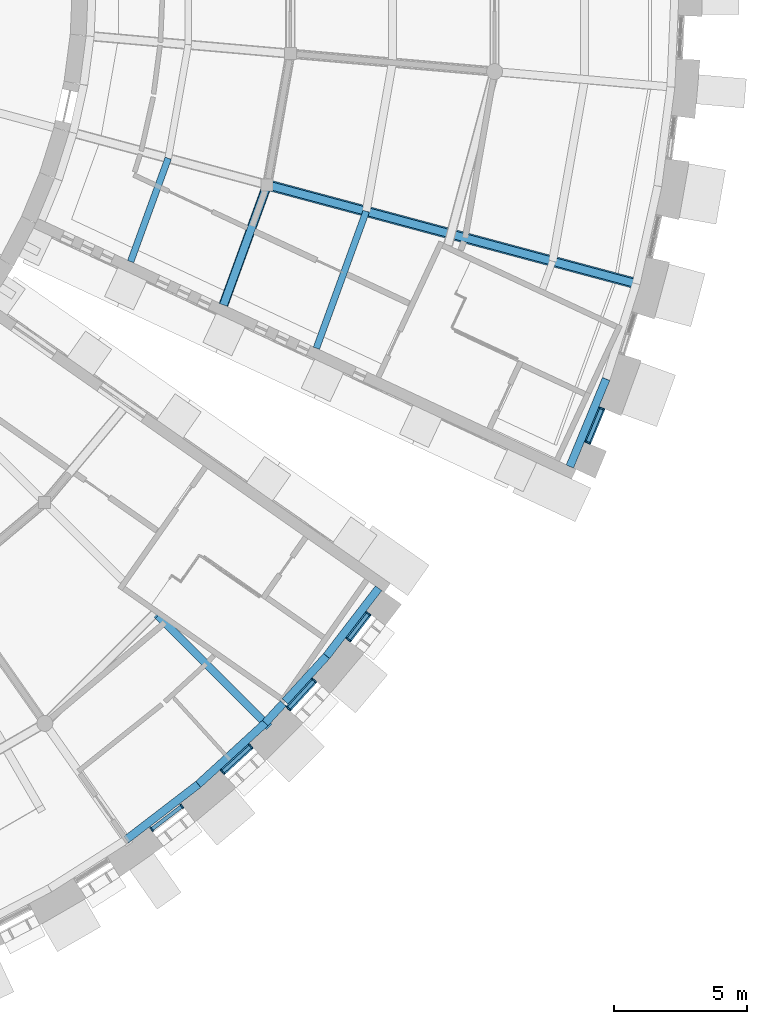
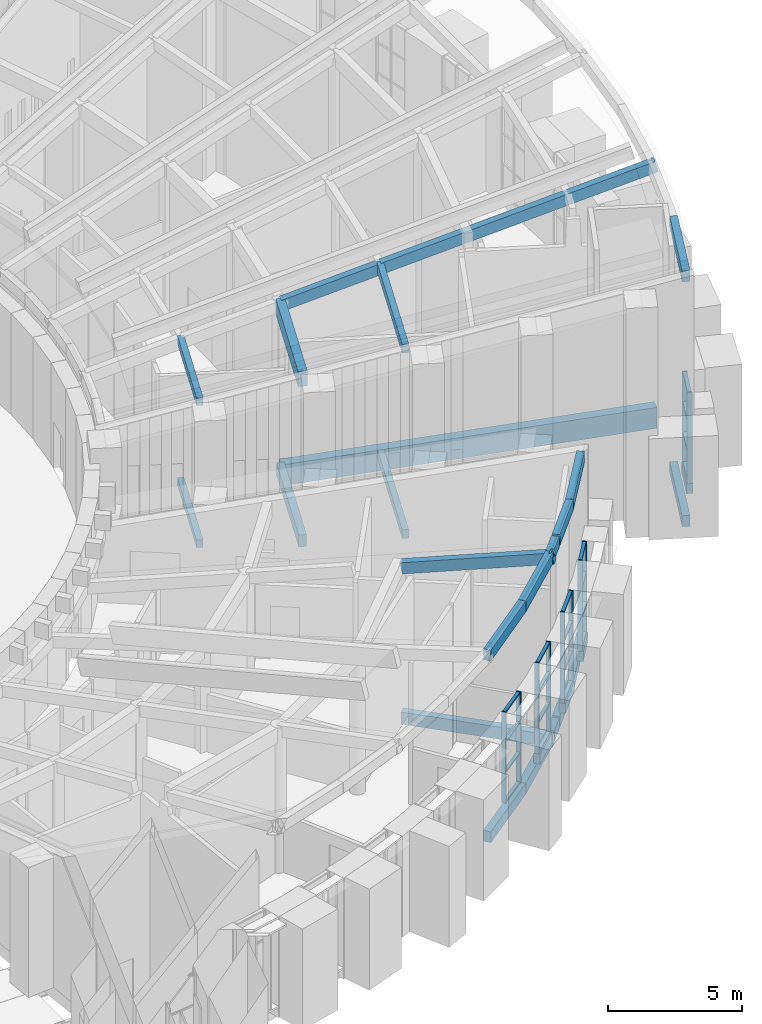
# One storey, part 6 of 50: 30 members, 26 beams, 5 elements without a shape of their own.
"""IFC4 building model written with IfcOpenShell, lengths in metres."""

from ifc_helpers import new_model, si_unit, direction, frame, origin, origin_2d, place, context, subcontext, project, spatial, rectangle, extrude, material, layer, layer_set, material_profile, profile_set, type_object, element, aggregate, save


model = new_model("IFC4")

# Units and contexts
model_context = context("Model", 3, precision=1e-05, world=origin(), true_north=direction((0.0, 1.0)))
body_context = subcontext(model_context, "Body", "Model", "MODEL_VIEW")
ifc_project = project(units=[si_unit("LENGTHUNIT", "METRE"), si_unit("AREAUNIT", "SQUARE_METRE"), si_unit("VOLUMEUNIT", "CUBIC_METRE"), si_unit("PLANEANGLEUNIT", "RADIAN"), si_unit("MASSUNIT", "GRAM", prefix="KILO")], contexts=[model_context])

# Site, building, storey
site_placement = place(None, origin())
site = spatial("IfcSite", under=ifc_project, at=site_placement, CompositionType="ELEMENT")
building_placement = place(site_placement, origin())
building = spatial("IfcBuilding", under=site, at=building_placement, Name="Volute Hill Aquarium", CompositionType="ELEMENT")
storey_placement = place(building_placement, frame((0.0, 0.0, 9.199951171875)))
storey = spatial("IfcBuildingStorey", under=building, at=storey_placement, Name="L03", CompositionType="ELEMENT", Elevation=9.199951171875)

# Beams
ifc_material_1 = material(Name="Concrete C35/45", Category="concrete")
ifc_material_profile_1 = material_profile(ifc_material_1, rectangle(XDim=0.300048828125, YDim=0.550048828125, at=origin_2d()), Name="RC beam 300x550")
ifc_profile_set_1 = profile_set([ifc_material_profile_1], Name="Concrete C35/45")
beam_type_1 = type_object("IfcBeamType", Name="Beam 300x550 C35/45", PredefinedType="BEAM", material=ifc_profile_set_1)
beam_1_placement = place(storey_placement, frame((23.617919921875, -23.617919921875, -0.544921875), z_axis=(0.707106781187, -0.707106781187, 0.0), x_axis=(0.707106781187, 0.707106781187, 0.0)))
element("IfcBeam", 1, at=beam_1_placement, inside=storey, type_object=beam_type_1, Name="bm/S3/L03/rad4.12", PredefinedType="BEAM", context=body_context, shape_type="SweptSolid", body=[
    extrude(rectangle(XDim=0.300048828125, YDim=0.550048828125, at=origin_2d()), origin(), (0.0, 0.0, 1.0), 5.84912109375),
])
beam_2_placement = place(storey_placement, frame((26.07958984375, -11.9404296875, -0.514892578125), z_axis=(0.342053281392, 0.939680558854, 0.0), x_axis=(-0.939680558854, 0.342053281392, 0.0)))
element("IfcBeam", 2, at=beam_2_placement, inside=storey, type_object=beam_type_1, Name="bm/S4/L03/ring1.11", PredefinedType="BEAM", context=body_context, shape_type="SweptSolid", body=[
    extrude(rectangle(XDim=0.300048828125, YDim=0.550048828125, at=origin_2d()), origin(), (0.0, 0.0, 1.0), 4.802001953125),
])
ifc_material_2 = material(Name="Concrete C35/45", Category="concrete")
ifc_material_profile_2 = material_profile(ifc_material_2, rectangle(XDim=0.35009765625, YDim=0.699951171875, at=origin_2d()), Name="RC beam 350x700")
ifc_profile_set_2 = profile_set([ifc_material_profile_2], Name="Concrete C35/45")
beam_type_2 = type_object("IfcBeamType", Name="Beam 350x700 C35/45", PredefinedType="BEAM", material=ifc_profile_set_2)
beam_3_placement = place(storey_placement, frame((26.07958984375, -11.9404296875, 6.871337890625), z_axis=(0.342053281392, 0.939680558854, 0.0), x_axis=(-0.939680558854, 0.342053281392, 0.0)))
element("IfcBeam", 3, at=beam_3_placement, inside=storey, type_object=beam_type_2, Name="rb/S4/L03/ring1.11", PredefinedType="BEAM", context=body_context, shape_type="SweptSolid", body=[
    extrude(rectangle(XDim=0.35009765625, YDim=0.699951171875, at=origin_2d()), origin(), (0.0, 0.0, 1.0), 4.802001953125),
])
ifc_material_3 = material(Name="Concrete C35/45", Category="concrete")
ifc_material_profile_3 = material_profile(ifc_material_3, rectangle(XDim=0.39990234375, YDim=0.949951171875, at=origin_2d()), Name="RC beam 400x950")
ifc_profile_set_3 = profile_set([ifc_material_profile_3], Name="Concrete C35/45")
beam_type_3 = type_object("IfcBeamType", Name="Beam 400x950 C35/45", PredefinedType="BEAM", material=ifc_profile_set_3)
beam_4_placement = place(storey_placement, frame((27.72216796875, -7.427978515625, -0.71484375), z_axis=(0.965924602504, -0.258823612287, 0.0), x_axis=(0.258823612287, 0.965924602504, 0.0)))
element("IfcBeam", 4, at=beam_4_placement, inside=storey, type_object=beam_type_3, Name="bm/S4/L03/rad1.2", PredefinedType="BEAM", context=body_context, shape_type="SweptSolid", body=[
    extrude(rectangle(XDim=0.39990234375, YDim=0.949951171875, at=origin_2d()), origin(), (0.0, 0.0, 1.0), 14.5),
])

# Curtain wall, members
ifc_material_4 = material(Name="Aluminium", Category="aluminium")
ifc_layer_1 = layer(ifc_material_4, 0.25)
ifc_layer_set_1 = layer_set([ifc_layer_1], Name="Curtain wall niche S3 module 1489")
curtain_wall_type_1 = type_object("IfcCurtainWallType", Name="Curtain wall niche S3 module 1489", PredefinedType="NOTDEFINED", material=ifc_layer_set_1)
curtain_wall_1_placement = place(storey_placement, origin())
curtain_wall_1 = element("IfcCurtainWall", 5, at=curtain_wall_1_placement, inside=storey, type_object=curtain_wall_type_1, Name="Curtain wall CW S3 L03 7", PredefinedType="NOTDEFINED")
ifc_material_5 = material(Name="Aluminium", Category="aluminium")
ifc_material_profile_4 = material_profile(ifc_material_5, rectangle(XDim=0.179931640625, YDim=0.06005859375, at=origin_2d()), Name="Curtain wall mullion S3 60x180")
ifc_profile_set_4 = profile_set([ifc_material_profile_4], Name="Aluminium")
member_type_1 = type_object("IfcMemberType", Name="Curtain wall mullion S3 60x180", PredefinedType="MULLION", material=ifc_profile_set_4)
member_1_placement = place(storey_placement, frame((23.380126953125, -31.643310546875, 0.449951171875), z_axis=(0.0, 0.0, 1.0), x_axis=(-0.608746843851, 0.793364531663, 0.0)))
member_1 = element("IfcMember", 6, at=member_1_placement, type_object=member_type_1, Name="CW mullion 1", PredefinedType="MULLION", context=body_context, shape_type="SweptSolid", body=[
    extrude(rectangle(XDim=0.179931640625, YDim=0.06005859375, at=origin_2d()), origin(), (0.0, 0.0, 1.0), 4.150146484375),
])
member_2_placement = place(storey_placement, frame((24.513916015625, -30.773193359375, 0.449951171875), z_axis=(0.0, 0.0, 1.0), x_axis=(-0.608746843851, 0.793364531663, 0.0)))
member_2 = element("IfcMember", 7, at=member_2_placement, type_object=member_type_1, Name="CW mullion 2", PredefinedType="MULLION", context=body_context, shape_type="SweptSolid", body=[
    extrude(rectangle(XDim=0.179931640625, YDim=0.06005859375, at=origin_2d()), origin(), (0.0, 0.0, 1.0), 4.150146484375),
])

curtain_wall_2_placement = place(storey_placement, origin())
curtain_wall_2 = element("IfcCurtainWall", 8, at=curtain_wall_2_placement, inside=storey, type_object=curtain_wall_type_1, Name="Curtain wall CW S3 L03 8", PredefinedType="NOTDEFINED")
member_3_placement = place(storey_placement, frame((26.048828125, -29.4853515625, 0.449951171875), z_axis=(0.0, 0.0, 1.0), x_axis=(-0.675613025622, 0.73725642731, 0.0)))
member_3 = element("IfcMember", 9, at=member_3_placement, type_object=member_type_1, Name="CW mullion 1", PredefinedType="MULLION", context=body_context, shape_type="SweptSolid", body=[
    extrude(rectangle(XDim=0.179931640625, YDim=0.06005859375, at=origin_2d()), origin(), (0.0, 0.0, 1.0), 4.150146484375),
])
member_4_placement = place(storey_placement, frame((27.1025390625, -28.519775390625, 0.449951171875), z_axis=(0.0, 0.0, 1.0), x_axis=(-0.675613025622, 0.73725642731, 0.0)))
member_4 = element("IfcMember", 10, at=member_4_placement, type_object=member_type_1, Name="CW mullion 2", PredefinedType="MULLION", context=body_context, shape_type="SweptSolid", body=[
    extrude(rectangle(XDim=0.179931640625, YDim=0.06005859375, at=origin_2d()), origin(), (0.0, 0.0, 1.0), 4.150146484375),
])

curtain_wall_3_placement = place(storey_placement, origin())
curtain_wall_3 = element("IfcCurtainWall", 11, at=curtain_wall_3_placement, inside=storey, type_object=curtain_wall_type_1, Name="Curtain wall CW S3 L03 9", PredefinedType="NOTDEFINED")
member_5_placement = place(storey_placement, frame((28.51953125, -27.102783203125, 0.449951171875), z_axis=(0.0, 0.0, 1.0), x_axis=(-0.737259772044, 0.675609375694, 0.0)))
member_5 = element("IfcMember", 12, at=member_5_placement, type_object=member_type_1, Name="CW mullion 1", PredefinedType="MULLION", context=body_context, shape_type="SweptSolid", body=[
    extrude(rectangle(XDim=0.179931640625, YDim=0.06005859375, at=origin_2d()), origin(), (0.0, 0.0, 1.0), 4.150146484375),
])
member_6_placement = place(storey_placement, frame((29.485107421875, -26.049072265625, 0.449951171875), z_axis=(0.0, 0.0, 1.0), x_axis=(-0.737259772044, 0.675609375694, 0.0)))
member_6 = element("IfcMember", 13, at=member_6_placement, type_object=member_type_1, Name="CW mullion 2", PredefinedType="MULLION", context=body_context, shape_type="SweptSolid", body=[
    extrude(rectangle(XDim=0.179931640625, YDim=0.06005859375, at=origin_2d()), origin(), (0.0, 0.0, 1.0), 4.150146484375),
])

ifc_material_6 = material(Name="Aluminium", Category="aluminium")
ifc_layer_2 = layer(ifc_material_6, 0.25)
ifc_layer_set_2 = layer_set([ifc_layer_2], Name="Curtain wall niche S3 module 1289")
curtain_wall_type_2 = type_object("IfcCurtainWallType", Name="Curtain wall niche S3 module 1289", PredefinedType="NOTDEFINED", material=ifc_layer_set_2)
curtain_wall_4_placement = place(storey_placement, origin())
curtain_wall_4 = element("IfcCurtainWall", 14, at=curtain_wall_4_placement, inside=storey, type_object=curtain_wall_type_2, Name="Curtain wall CW S3 L03 10", PredefinedType="NOTDEFINED")
member_7_placement = place(storey_placement, frame((30.773193359375, -24.513916015625, 0.449951171875), z_axis=(0.0, 0.0, 1.0), x_axis=(-0.79336569779, 0.608745324064, 0.0)))
member_7 = element("IfcMember", 15, at=member_7_placement, type_object=member_type_1, Name="CW mullion 1", PredefinedType="MULLION", context=body_context, shape_type="SweptSolid", body=[
    extrude(rectangle(XDim=0.179931640625, YDim=0.06005859375, at=origin_2d()), origin(), (0.0, 0.0, 1.0), 4.150146484375),
])
member_8_placement = place(storey_placement, frame((31.521484375, -23.538818359375, 0.449951171875), z_axis=(0.0, 0.0, 1.0), x_axis=(-0.79336569779, 0.608745324064, 0.0)))
member_8 = element("IfcMember", 16, at=member_8_placement, type_object=member_type_1, Name="CW mullion 2", PredefinedType="MULLION", context=body_context, shape_type="SweptSolid", body=[
    extrude(rectangle(XDim=0.179931640625, YDim=0.06005859375, at=origin_2d()), origin(), (0.0, 0.0, 1.0), 4.150146484375),
])

ifc_material_7 = material(Name="Aluminium", Category="aluminium")
ifc_layer_3 = layer(ifc_material_7, 0.25)
ifc_layer_set_3 = layer_set([ifc_layer_3], Name="Curtain wall niche S4 module 1437")
curtain_wall_type_3 = type_object("IfcCurtainWallType", Name="Curtain wall niche S4 module 1437", PredefinedType="NOTDEFINED", material=ifc_layer_set_3)
curtain_wall_5_placement = place(storey_placement, origin())
curtain_wall_5 = element("IfcCurtainWall", 17, at=curtain_wall_5_placement, inside=storey, type_object=curtain_wall_type_3, Name="Curtain wall CW S4 L03 1", PredefinedType="NOTDEFINED")
ifc_material_8 = material(Name="Aluminium", Category="aluminium")
ifc_material_profile_5 = material_profile(ifc_material_8, rectangle(XDim=0.199951171875, YDim=0.06005859375, at=origin_2d()), Name="Curtain wall mullion S4 60x200")
ifc_profile_set_5 = profile_set([ifc_material_profile_5], Name="Aluminium")
member_type_2 = type_object("IfcMemberType", Name="Curtain wall mullion S4 60x200", PredefinedType="MULLION", material=ifc_profile_set_5)
member_9_placement = place(storey_placement, frame((39.763427734375, -17.107666015625, 0.449951171875), z_axis=(0.0, 0.0, 1.0), x_axis=(-0.923873852375, 0.38269714514, 0.0)))
member_9 = element("IfcMember", 18, at=member_9_placement, type_object=member_type_2, Name="CW mullion 1", PredefinedType="MULLION", context=body_context, shape_type="SweptSolid", body=[
    extrude(rectangle(XDim=0.199951171875, YDim=0.06005859375, at=origin_2d()), origin(), (0.0, 0.0, 1.0), 4.150146484375),
])
member_10_placement = place(storey_placement, frame((40.29052734375, -15.835205078125, 0.449951171875), z_axis=(0.0, 0.0, 1.0), x_axis=(-0.923873852375, 0.38269714514, 0.0)))
member_10 = element("IfcMember", 19, at=member_10_placement, type_object=member_type_2, Name="CW mullion 2", PredefinedType="MULLION", context=body_context, shape_type="SweptSolid", body=[
    extrude(rectangle(XDim=0.199951171875, YDim=0.06005859375, at=origin_2d()), origin(), (0.0, 0.0, 1.0), 4.150146484375),
])

# Member
ifc_material_9 = material(Name="Aluminium", Category="aluminium")
ifc_material_profile_6 = material_profile(ifc_material_9, rectangle(XDim=0.139892578125, YDim=0.06005859375, at=origin_2d()), Name="Curtain wall transom S3 60x140")
ifc_profile_set_6 = profile_set([ifc_material_profile_6], Name="Aluminium")
member_type_3 = type_object("IfcMemberType", Name="Curtain wall transom S3 60x140", PredefinedType="USERDEFINED", material=ifc_profile_set_6)
member_11_placement = place(storey_placement, frame((23.40380859375, -31.625, 0.47998046875), z_axis=(0.793405441688, 0.608693523129, 0.0), x_axis=(-0.608693523129, 0.793405441688, 0.0)))
member_11 = element("IfcMember", 20, at=member_11_placement, type_object=member_type_3, Name="CW transom 1.1", ObjectType="TRANSOM", PredefinedType="USERDEFINED", context=body_context, shape_type="SweptSolid", body=[
    extrude(rectangle(XDim=0.139892578125, YDim=0.06005859375, at=origin_2d()), origin(), (0.0, 0.0, 1.0), 1.369384765625),
])

member_12_placement = place(storey_placement, frame((23.40380859375, -31.625, 1.83349609375), z_axis=(0.793405441688, 0.608693523129, 0.0), x_axis=(-0.608693523129, 0.793405441688, 0.0)))
member_12 = element("IfcMember", 21, at=member_12_placement, type_object=member_type_3, Name="CW transom 1.2", ObjectType="TRANSOM", PredefinedType="USERDEFINED", context=body_context, shape_type="SweptSolid", body=[
    extrude(rectangle(XDim=0.139892578125, YDim=0.06005859375, at=origin_2d()), origin(), (0.0, 0.0, 1.0), 1.369384765625),
])

member_13_placement = place(storey_placement, frame((23.40380859375, -31.625, 3.216796875), z_axis=(0.793405441688, 0.608693523129, 0.0), x_axis=(-0.608693523129, 0.793405441688, 0.0)))
member_13 = element("IfcMember", 22, at=member_13_placement, type_object=member_type_3, Name="CW transom 1.3", ObjectType="TRANSOM", PredefinedType="USERDEFINED", context=body_context, shape_type="SweptSolid", body=[
    extrude(rectangle(XDim=0.139892578125, YDim=0.06005859375, at=origin_2d()), origin(), (0.0, 0.0, 1.0), 1.369384765625),
])

member_14_placement = place(storey_placement, frame((23.40380859375, -31.625, 4.570068359375), z_axis=(0.793405441688, 0.608693523129, 0.0), x_axis=(-0.608693523129, 0.793405441688, 0.0)))
member_14 = element("IfcMember", 23, at=member_14_placement, type_object=member_type_3, Name="CW transom 1.4", ObjectType="TRANSOM", PredefinedType="USERDEFINED", context=body_context, shape_type="SweptSolid", body=[
    extrude(rectangle(XDim=0.139892578125, YDim=0.06005859375, at=origin_2d()), origin(), (0.0, 0.0, 1.0), 1.369384765625),
])

aggregate(curtain_wall_1, [member_1, member_2, member_11, member_12, member_13, member_14])

member_15_placement = place(storey_placement, frame((26.071044921875, -29.465087890625, 0.47998046875), z_axis=(0.73727994828, 0.675587357686, 0.0), x_axis=(-0.675587357686, 0.73727994828, 0.0)))
member_15 = element("IfcMember", 24, at=member_15_placement, type_object=member_type_3, Name="CW transom 1.1", ObjectType="TRANSOM", PredefinedType="USERDEFINED", context=body_context, shape_type="SweptSolid", body=[
    extrude(rectangle(XDim=0.139892578125, YDim=0.06005859375, at=origin_2d()), origin(), (0.0, 0.0, 1.0), 1.369140625),
])

member_16_placement = place(storey_placement, frame((26.071044921875, -29.465087890625, 1.83349609375), z_axis=(0.73727994828, 0.675587357686, 0.0), x_axis=(-0.675587357686, 0.73727994828, 0.0)))
member_16 = element("IfcMember", 25, at=member_16_placement, type_object=member_type_3, Name="CW transom 1.2", ObjectType="TRANSOM", PredefinedType="USERDEFINED", context=body_context, shape_type="SweptSolid", body=[
    extrude(rectangle(XDim=0.139892578125, YDim=0.06005859375, at=origin_2d()), origin(), (0.0, 0.0, 1.0), 1.369140625),
])

member_17_placement = place(storey_placement, frame((26.071044921875, -29.465087890625, 3.216796875), z_axis=(0.73727994828, 0.675587357686, 0.0), x_axis=(-0.675587357686, 0.73727994828, 0.0)))
member_17 = element("IfcMember", 26, at=member_17_placement, type_object=member_type_3, Name="CW transom 1.3", ObjectType="TRANSOM", PredefinedType="USERDEFINED", context=body_context, shape_type="SweptSolid", body=[
    extrude(rectangle(XDim=0.139892578125, YDim=0.06005859375, at=origin_2d()), origin(), (0.0, 0.0, 1.0), 1.369140625),
])

member_18_placement = place(storey_placement, frame((26.071044921875, -29.465087890625, 4.570068359375), z_axis=(0.73727994828, 0.675587357686, 0.0), x_axis=(-0.675587357686, 0.73727994828, 0.0)))
member_18 = element("IfcMember", 27, at=member_18_placement, type_object=member_type_3, Name="CW transom 1.4", ObjectType="TRANSOM", PredefinedType="USERDEFINED", context=body_context, shape_type="SweptSolid", body=[
    extrude(rectangle(XDim=0.139892578125, YDim=0.06005859375, at=origin_2d()), origin(), (0.0, 0.0, 1.0), 1.369140625),
])

aggregate(curtain_wall_2, [member_3, member_4, member_15, member_16, member_17, member_18])

member_19_placement = place(storey_placement, frame((28.539794921875, -27.08056640625, 0.47998046875), z_axis=(0.675587357686, 0.73727994828, 0.0), x_axis=(-0.73727994828, 0.675587357686, 0.0)))
member_19 = element("IfcMember", 28, at=member_19_placement, type_object=member_type_3, Name="CW transom 1.1", ObjectType="TRANSOM", PredefinedType="USERDEFINED", context=body_context, shape_type="SweptSolid", body=[
    extrude(rectangle(XDim=0.139892578125, YDim=0.06005859375, at=origin_2d()), origin(), (0.0, 0.0, 1.0), 1.369140625),
])

member_20_placement = place(storey_placement, frame((28.539794921875, -27.08056640625, 1.83349609375), z_axis=(0.675587357686, 0.73727994828, 0.0), x_axis=(-0.73727994828, 0.675587357686, 0.0)))
member_20 = element("IfcMember", 29, at=member_20_placement, type_object=member_type_3, Name="CW transom 1.2", ObjectType="TRANSOM", PredefinedType="USERDEFINED", context=body_context, shape_type="SweptSolid", body=[
    extrude(rectangle(XDim=0.139892578125, YDim=0.06005859375, at=origin_2d()), origin(), (0.0, 0.0, 1.0), 1.369140625),
])

member_21_placement = place(storey_placement, frame((28.539794921875, -27.08056640625, 3.216796875), z_axis=(0.675587357686, 0.73727994828, 0.0), x_axis=(-0.73727994828, 0.675587357686, 0.0)))
member_21 = element("IfcMember", 30, at=member_21_placement, type_object=member_type_3, Name="CW transom 1.3", ObjectType="TRANSOM", PredefinedType="USERDEFINED", context=body_context, shape_type="SweptSolid", body=[
    extrude(rectangle(XDim=0.139892578125, YDim=0.06005859375, at=origin_2d()), origin(), (0.0, 0.0, 1.0), 1.369140625),
])

member_22_placement = place(storey_placement, frame((28.539794921875, -27.08056640625, 4.570068359375), z_axis=(0.675587357686, 0.73727994828, 0.0), x_axis=(-0.73727994828, 0.675587357686, 0.0)))
member_22 = element("IfcMember", 31, at=member_22_placement, type_object=member_type_3, Name="CW transom 1.4", ObjectType="TRANSOM", PredefinedType="USERDEFINED", context=body_context, shape_type="SweptSolid", body=[
    extrude(rectangle(XDim=0.139892578125, YDim=0.06005859375, at=origin_2d()), origin(), (0.0, 0.0, 1.0), 1.369140625),
])

aggregate(curtain_wall_3, [member_5, member_6, member_19, member_20, member_21, member_22])

member_23_placement = place(storey_placement, frame((30.79150390625, -24.490234375, 0.47998046875), z_axis=(0.608751540915, 0.793360927594, 0.0), x_axis=(-0.793360927594, 0.608751540915, 0.0)))
member_23 = element("IfcMember", 32, at=member_23_placement, type_object=member_type_3, Name="CW transom 1.1", ObjectType="TRANSOM", PredefinedType="USERDEFINED", context=body_context, shape_type="SweptSolid", body=[
    extrude(rectangle(XDim=0.139892578125, YDim=0.06005859375, at=origin_2d()), origin(), (0.0, 0.0, 1.0), 1.1689453125),
])

member_24_placement = place(storey_placement, frame((30.79150390625, -24.490234375, 1.83349609375), z_axis=(0.608751540915, 0.793360927594, 0.0), x_axis=(-0.793360927594, 0.608751540915, 0.0)))
member_24 = element("IfcMember", 33, at=member_24_placement, type_object=member_type_3, Name="CW transom 1.2", ObjectType="TRANSOM", PredefinedType="USERDEFINED", context=body_context, shape_type="SweptSolid", body=[
    extrude(rectangle(XDim=0.139892578125, YDim=0.06005859375, at=origin_2d()), origin(), (0.0, 0.0, 1.0), 1.1689453125),
])

member_25_placement = place(storey_placement, frame((30.79150390625, -24.490234375, 3.216796875), z_axis=(0.608751540915, 0.793360927594, 0.0), x_axis=(-0.793360927594, 0.608751540915, 0.0)))
member_25 = element("IfcMember", 34, at=member_25_placement, type_object=member_type_3, Name="CW transom 1.3", ObjectType="TRANSOM", PredefinedType="USERDEFINED", context=body_context, shape_type="SweptSolid", body=[
    extrude(rectangle(XDim=0.139892578125, YDim=0.06005859375, at=origin_2d()), origin(), (0.0, 0.0, 1.0), 1.1689453125),
])

member_26_placement = place(storey_placement, frame((30.79150390625, -24.490234375, 4.570068359375), z_axis=(0.608751540915, 0.793360927594, 0.0), x_axis=(-0.793360927594, 0.608751540915, 0.0)))
member_26 = element("IfcMember", 35, at=member_26_placement, type_object=member_type_3, Name="CW transom 1.4", ObjectType="TRANSOM", PredefinedType="USERDEFINED", context=body_context, shape_type="SweptSolid", body=[
    extrude(rectangle(XDim=0.139892578125, YDim=0.06005859375, at=origin_2d()), origin(), (0.0, 0.0, 1.0), 1.1689453125),
])

aggregate(curtain_wall_4, [member_7, member_8, member_23, member_24, member_25, member_26])

ifc_material_10 = material(Name="Aluminium", Category="aluminium")
ifc_material_profile_7 = material_profile(ifc_material_10, rectangle(XDim=0.14990234375, YDim=0.06005859375, at=origin_2d()), Name="Curtain wall transom S4 60x150")
ifc_profile_set_7 = profile_set([ifc_material_profile_7], Name="Aluminium")
member_type_4 = type_object("IfcMemberType", Name="Curtain wall transom S4 60x150", PredefinedType="USERDEFINED", material=ifc_profile_set_7)
member_27_placement = place(storey_placement, frame((39.77490234375, -17.079833984375, 0.47998046875), z_axis=(0.3827064316, 0.923870005581, 0.0), x_axis=(-0.923870005581, 0.3827064316, 0.0)))
member_27 = element("IfcMember", 36, at=member_27_placement, type_object=member_type_4, Name="CW transom 1.1", ObjectType="TRANSOM", PredefinedType="USERDEFINED", context=body_context, shape_type="SweptSolid", body=[
    extrude(rectangle(XDim=0.14990234375, YDim=0.06005859375, at=origin_2d()), origin(), (0.0, 0.0, 1.0), 1.3173828125),
])

member_28_placement = place(storey_placement, frame((39.77490234375, -17.079833984375, 1.83349609375), z_axis=(0.3827064316, 0.923870005581, 0.0), x_axis=(-0.923870005581, 0.3827064316, 0.0)))
member_28 = element("IfcMember", 37, at=member_28_placement, type_object=member_type_4, Name="CW transom 1.2", ObjectType="TRANSOM", PredefinedType="USERDEFINED", context=body_context, shape_type="SweptSolid", body=[
    extrude(rectangle(XDim=0.14990234375, YDim=0.06005859375, at=origin_2d()), origin(), (0.0, 0.0, 1.0), 1.3173828125),
])

member_29_placement = place(storey_placement, frame((39.77490234375, -17.079833984375, 3.216796875), z_axis=(0.3827064316, 0.923870005581, 0.0), x_axis=(-0.923870005581, 0.3827064316, 0.0)))
member_29 = element("IfcMember", 38, at=member_29_placement, type_object=member_type_4, Name="CW transom 1.3", ObjectType="TRANSOM", PredefinedType="USERDEFINED", context=body_context, shape_type="SweptSolid", body=[
    extrude(rectangle(XDim=0.14990234375, YDim=0.06005859375, at=origin_2d()), origin(), (0.0, 0.0, 1.0), 1.3173828125),
])

member_30_placement = place(storey_placement, frame((39.77490234375, -17.079833984375, 4.570068359375), z_axis=(0.3827064316, 0.923870005581, 0.0), x_axis=(-0.923870005581, 0.3827064316, 0.0)))
member_30 = element("IfcMember", 39, at=member_30_placement, type_object=member_type_4, Name="CW transom 1.4", ObjectType="TRANSOM", PredefinedType="USERDEFINED", context=body_context, shape_type="SweptSolid", body=[
    extrude(rectangle(XDim=0.14990234375, YDim=0.06005859375, at=origin_2d()), origin(), (0.0, 0.0, 1.0), 1.3173828125),
])

aggregate(curtain_wall_5, [member_9, member_10, member_27, member_28, member_29, member_30])

# Beams
ifc_material_11 = material(Name="Concrete C35/45", Category="concrete")
ifc_material_profile_8 = material_profile(ifc_material_11, rectangle(XDim=0.300048828125, YDim=0.5, at=origin_2d()), Name="RC edge beam 300x500")
ifc_profile_set_8 = profile_set([ifc_material_profile_8], Name="Concrete C35/45")
beam_type_4 = type_object("IfcBeamType", Name="Edge beam 300x500 C35/45", PredefinedType="BEAM", material=ifc_profile_set_8)
for number, where, z_axis, x_axis, name in (
    (40, (22.4267578125, -32.02880859375, -0.52001953125), (0.793320580874, 0.608804119534, 0.0), (-0.608804119534, 0.793320580874, 0.0), "bm/S3/L03/edgeO.38"),
    (41, (25.1328125, -29.9521484375, -0.52001953125), (0.737281879536, 0.675585250067, 0.0), (-0.675585250067, 0.737281879536, 0.0), "bm/S3/L03/edgeO.39"),
):
    element("IfcBeam", number, at=place(storey_placement, frame(where, z_axis=z_axis, x_axis=x_axis)), inside=storey, type_object=beam_type_4, Name=name, PredefinedType="BEAM", context=body_context, shape_type="SweptSolid", body=[
        extrude(rectangle(XDim=0.300048828125, YDim=0.5, at=origin_2d()), origin(), (0.0, 0.0, 1.0), 3.4111328125),
    ])
beam_5_placement = place(storey_placement, frame((27.647705078125, -27.647705078125, -0.52001953125), z_axis=(0.675613853927, 0.73725566826, 0.0), x_axis=(-0.73725566826, 0.675613853927, 0.0)))
element("IfcBeam", 42, at=beam_5_placement, inside=storey, type_object=beam_type_4, Name="bm/S3/L03/edgeO.40", PredefinedType="BEAM", context=body_context, shape_type="SweptSolid", body=[
    extrude(rectangle(XDim=0.300048828125, YDim=0.5, at=origin_2d()), origin(), (0.0, 0.0, 1.0), 0.998046875),
])
beam_6_placement = place(storey_placement, frame((28.393798828125, -26.83349609375, -0.52001953125), z_axis=(0.675580832147, 0.737285927735, 0.0), x_axis=(-0.737285927735, 0.675580832147, 0.0)))
element("IfcBeam", 43, at=beam_6_placement, inside=storey, type_object=beam_type_4, Name="bm/S3/L03/edgeO.41", PredefinedType="BEAM", context=body_context, shape_type="SweptSolid", body=[
    extrude(rectangle(XDim=0.300048828125, YDim=0.5, at=origin_2d()), origin(), (0.0, 0.0, 1.0), 2.306640625),
])
beam_7_placement = place(storey_placement, frame((29.9521484375, -25.1328125, -0.52001953125), z_axis=(0.608832139492, 0.793299077222, 0.0), x_axis=(-0.793299077222, 0.608832139492, 0.0)))
element("IfcBeam", 44, at=beam_7_placement, inside=storey, type_object=beam_type_4, Name="bm/S3/L03/edgeO.42", PredefinedType="BEAM", context=body_context, shape_type="SweptSolid", body=[
    extrude(rectangle(XDim=0.300048828125, YDim=0.5, at=origin_2d()), origin(), (0.0, 0.0, 1.0), 3.210693359375),
])
beam_8_placement = place(storey_placement, frame((22.4267578125, -32.02880859375, 7.7451171875), z_axis=(0.793270498915, 0.608765686013, 0.011236328792), x_axis=(-0.608804119534, 0.793320580874, 0.0)))
element("IfcBeam", 45, at=beam_8_placement, inside=storey, type_object=beam_type_4, Name="rb/S3/L03/edgeO.38", PredefinedType="BEAM", context=body_context, shape_type="SweptSolid", body=[
    extrude(rectangle(XDim=0.300048828125, YDim=0.5, at=origin_2d()), origin(), (0.0, 0.0, 1.0), 3.411376953125),
])
beam_9_placement = place(storey_placement, frame((25.1328125, -29.9521484375, 7.783447265625), z_axis=(0.737235334852, 0.675542600298, -0.011236379727), x_axis=(-0.675585250067, 0.737281879536, 0.0)))
element("IfcBeam", 46, at=beam_9_placement, inside=storey, type_object=beam_type_4, Name="rb/S3/L03/edgeO.39", PredefinedType="BEAM", context=body_context, shape_type="SweptSolid", body=[
    extrude(rectangle(XDim=0.300048828125, YDim=0.5, at=origin_2d()), origin(), (0.0, 0.0, 1.0), 3.4111328125),
])
beam_10_placement = place(storey_placement, frame((27.647705078125, -27.647705078125, 7.7451171875), z_axis=(0.675571088509, 0.737209001001, 0.011251364979), x_axis=(-0.73725566826, 0.675613853927, 0.0)))
element("IfcBeam", 47, at=beam_10_placement, inside=storey, type_object=beam_type_4, Name="rb/S3/L03/edgeO.40", PredefinedType="BEAM", context=body_context, shape_type="SweptSolid", body=[
    extrude(rectangle(XDim=0.300048828125, YDim=0.5, at=origin_2d()), origin(), (0.0, 0.0, 1.0), 0.998046875),
])
beam_11_placement = place(storey_placement, frame((28.393798828125, -26.83349609375, 7.757568359375), z_axis=(0.675538319024, 0.737239531618, 0.01121840229), x_axis=(-0.737285927735, 0.675580832147, 0.0)))
element("IfcBeam", 48, at=beam_11_placement, inside=storey, type_object=beam_type_4, Name="rb/S3/L03/edgeO.41", PredefinedType="BEAM", context=body_context, shape_type="SweptSolid", body=[
    extrude(rectangle(XDim=0.300048828125, YDim=0.5, at=origin_2d()), origin(), (0.0, 0.0, 1.0), 2.306884765625),
])
beam_12_placement = place(storey_placement, frame((29.9521484375, -25.1328125, 7.783447265625), z_axis=(0.608793591191, 0.793248849369, -0.011252835206), x_axis=(-0.793299077222, 0.608832139492, 0.0)))
element("IfcBeam", 49, at=beam_12_placement, inside=storey, type_object=beam_type_4, Name="rb/S3/L03/edgeO.42", PredefinedType="BEAM", context=body_context, shape_type="SweptSolid", body=[
    extrude(rectangle(XDim=0.300048828125, YDim=0.5, at=origin_2d()), origin(), (0.0, 0.0, 1.0), 3.2109375),
])
beam_13_placement = place(storey_placement, frame((39.093017578125, -18.0087890625, -0.489990234375), z_axis=(0.382669162072, 0.923885443331, 0.0), x_axis=(-0.923885443331, 0.382669162072, 0.0)))
element("IfcBeam", 50, at=beam_13_placement, inside=storey, type_object=beam_type_4, Name="bm/S4/L03/edgeO.29", PredefinedType="BEAM", context=body_context, shape_type="SweptSolid", body=[
    extrude(rectangle(XDim=0.300048828125, YDim=0.5, at=origin_2d()), origin(), (0.0, 0.0, 1.0), 3.555419921875),
])
beam_14_placement = place(storey_placement, frame((39.093017578125, -18.0087890625, 10.662841796875), z_axis=(0.382645196008, 0.923827581605, 0.011191668213), x_axis=(-0.923885443331, 0.382669162072, 0.0)))
element("IfcBeam", 51, at=beam_14_placement, inside=storey, type_object=beam_type_4, Name="rb/S4/L03/edgeO.29", PredefinedType="BEAM", context=body_context, shape_type="SweptSolid", body=[
    extrude(rectangle(XDim=0.300048828125, YDim=0.5, at=origin_2d()), origin(), (0.0, 0.0, 1.0), 3.5556640625),
])
ifc_material_12 = material(Name="Concrete C35/45", Category="concrete")
ifc_material_profile_9 = material_profile(ifc_material_12, rectangle(XDim=0.25, YDim=0.35009765625, at=origin_2d()), Name="RC joist 250x350")
ifc_profile_set_9 = profile_set([ifc_material_profile_9], Name="Concrete C35/45")
beam_type_5 = type_object("IfcBeamType", Name="Joist 250x350 C35/45", PredefinedType="BEAM", material=ifc_profile_set_9)
for number, where, z_axis, x_axis, name in (
    (52, (22.59033203125, -10.3134765625, -0.4150390625), (0.34206571552, 0.939676032612, 0.0), (-0.939676032612, 0.34206571552, 0.0), "bm/S4/L03/jst1"),
    (53, (22.59033203125, -10.3134765625, 6.056640625), (0.34206571552, 0.939676032612, 0.0), (-0.939676032612, 0.34206571552, 0.0), "rb/S4/L03/jst1"),
):
    element("IfcBeam", number, at=place(storey_placement, frame(where, z_axis=z_axis, x_axis=x_axis)), inside=storey, type_object=beam_type_5, Name=name, PredefinedType="BEAM", context=body_context, shape_type="SweptSolid", body=[
        extrude(rectangle(XDim=0.25, YDim=0.35009765625, at=origin_2d()), origin(), (0.0, 0.0, 1.0), 4.131103515625),
    ])
ifc_material_13 = material(Name="Concrete C35/45", Category="concrete")
ifc_material_profile_10 = material_profile(ifc_material_13, rectangle(XDim=0.25, YDim=0.39990234375, at=origin_2d()), Name="RC joist 250x400")
ifc_profile_set_10 = profile_set([ifc_material_profile_10], Name="Concrete C35/45")
beam_type_6 = type_object("IfcBeamType", Name="Joist 250x400 C35/45", PredefinedType="BEAM", material=ifc_profile_set_10)
for number, where, z_axis, x_axis, name in (
    (54, (29.569091796875, -13.567626953125, -0.43994140625), (0.342004507506, 0.939698311611, 0.0), (-0.939698311611, 0.342004507506, 0.0), "bm/S4/L03/jst6"),
    (55, (29.569091796875, -13.567626953125, 8.01123046875), (0.342004507506, 0.939698311611, 0.0), (-0.939698311611, 0.342004507506, 0.0), "rb/S4/L03/jst6"),
):
    element("IfcBeam", number, at=place(storey_placement, frame(where, z_axis=z_axis, x_axis=x_axis)), inside=storey, type_object=beam_type_6, Name=name, PredefinedType="BEAM", context=body_context, shape_type="SweptSolid", body=[
        extrude(rectangle(XDim=0.25, YDim=0.39990234375, at=origin_2d()), origin(), (0.0, 0.0, 1.0), 5.47314453125),
    ])
ifc_material_14 = material(Name="Concrete C35/45", Category="concrete")
ifc_material_profile_11 = material_profile(ifc_material_14, rectangle(XDim=0.25, YDim=0.449951171875, at=origin_2d()), Name="RC beam 250x450")
ifc_profile_set_11 = profile_set([ifc_material_profile_11], Name="Concrete C35/45")
beam_type_7 = type_object("IfcBeamType", Name="Niche sill beam RC 250x450 C35/45", PredefinedType="BEAM", material=ifc_profile_set_11)
for number, where, z_axis, x_axis, name in (
    (56, (26.02685546875, -29.505615234375, 0.22509765625), (0.737256210135, 0.675613262612, 0.0), (-0.675613262612, 0.737256210135, 0.0), "Niche sill beam OWB S3 L03 8"),
    (57, (28.499267578125, -27.124755859375, 0.22509765625), (0.675613262612, 0.737256210135, 0.0), (-0.737256210135, 0.675613262612, 0.0), "Niche sill beam OWB S3 L03 9"),
):
    element("IfcBeam", number, at=place(storey_placement, frame(where, z_axis=z_axis, x_axis=x_axis)), inside=storey, type_object=beam_type_7, Name=name, PredefinedType="BEAM", context=body_context, shape_type="SweptSolid", body=[
        extrude(rectangle(XDim=0.25, YDim=0.449951171875, at=origin_2d()), origin(), (0.0, 0.0, 1.0), 1.4892578125),
    ])
beam_15_placement = place(storey_placement, frame((30.755126953125, -24.537841796875, 0.22509765625), z_axis=(0.608721761392, 0.793383776749, 0.0), x_axis=(-0.793383776749, 0.608721761392, 0.0)))
element("IfcBeam", 58, at=beam_15_placement, inside=storey, type_object=beam_type_7, Name="Niche sill beam OWB S3 L03 10", PredefinedType="BEAM", context=body_context, shape_type="SweptSolid", body=[
    extrude(rectangle(XDim=0.25, YDim=0.449951171875, at=origin_2d()), origin(), (0.0, 0.0, 1.0), 1.2890625),
])
beam_16_placement = place(storey_placement, frame((39.751953125, -17.13525390625, 0.22509765625), z_axis=(0.382696833945, 0.923873981281, 0.0), x_axis=(-0.923873981281, 0.382696833945, 0.0)))
element("IfcBeam", 59, at=beam_16_placement, inside=storey, type_object=beam_type_7, Name="Niche sill beam OWB S4 L03 1", PredefinedType="BEAM", context=body_context, shape_type="SweptSolid", body=[
    extrude(rectangle(XDim=0.25, YDim=0.449951171875, at=origin_2d()), origin(), (0.0, 0.0, 1.0), 1.437255859375),
])
ifc_material_15 = material(Name="Concrete C35/45", Category="concrete")
ifc_material_profile_12 = material_profile(ifc_material_15, rectangle(XDim=0.300048828125, YDim=0.5, at=origin_2d()), Name="RC rib 300x500")
ifc_profile_set_12 = profile_set([ifc_material_profile_12], Name="Concrete C35/45")
beam_type_8 = type_object("IfcBeamType", Name="Roof rib 300x500 C35/45", PredefinedType="BEAM", material=ifc_profile_set_12)
beam_17_placement = place(storey_placement, frame((23.617919921875, -23.617919921875, 6.271728515625), z_axis=(0.684839487182, -0.684839487182, 0.248977415829), x_axis=(0.707106781187, 0.707106781187, 0.0)))
element("IfcBeam", 60, at=beam_17_placement, inside=storey, type_object=beam_type_8, Name="rb/S3/L03/rib4.12", PredefinedType="BEAM", context=body_context, shape_type="SweptSolid", body=[
    extrude(rectangle(XDim=0.300048828125, YDim=0.5, at=origin_2d()), origin(), (0.0, 0.0, 1.0), 6.039306640625),
])
beam_18_placement = place(storey_placement, frame((27.72216796875, -7.427978515625, 6.963134765625), z_axis=(0.935503219388, -0.25067207308, 0.248992446256), x_axis=(0.258823612287, 0.965924602504, 0.0)))
element("IfcBeam", 61, at=beam_18_placement, inside=storey, type_object=beam_type_8, Name="rb/S4/L03/rib1.2", PredefinedType="BEAM", context=body_context, shape_type="SweptSolid", body=[
    extrude(rectangle(XDim=0.300048828125, YDim=0.5, at=origin_2d()), origin(), (0.0, 0.0, 1.0), 14.971435546875),
])

save(model, "model.ifc")
